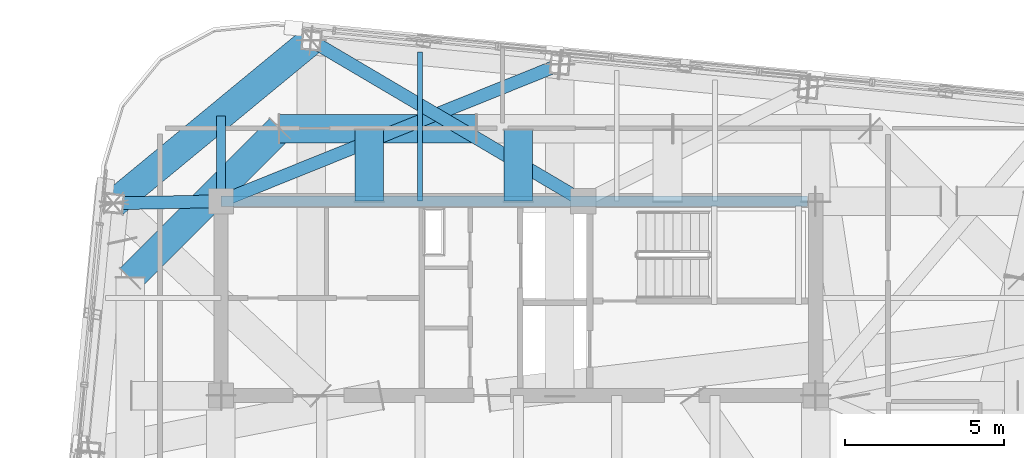
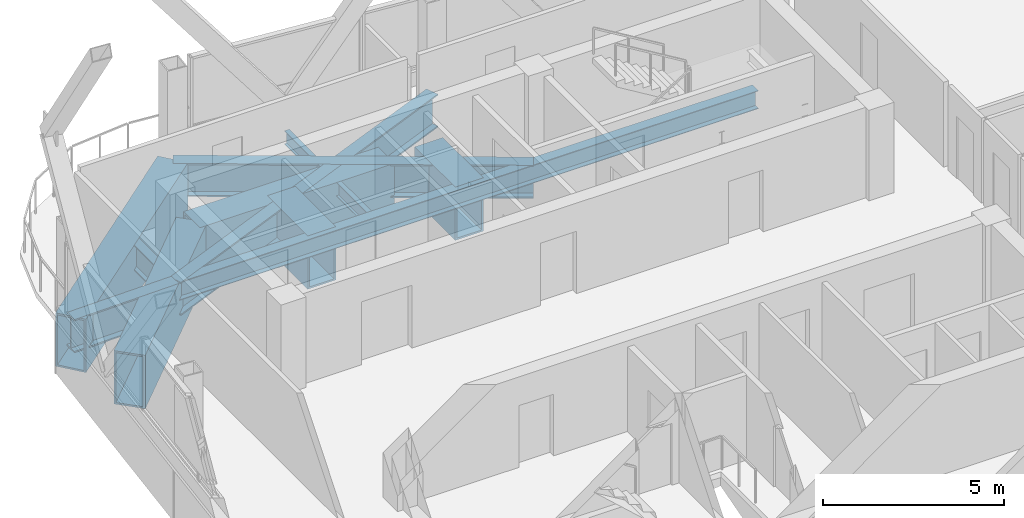
# One storey, part 19 of 31: 11 beams.
"""IFC4 building model written with IfcOpenShell, lengths in metres."""

from ifc_helpers import new_model, si_unit, direction, frame, origin, origin_2d, place, context, subcontext, project, spatial, hollow_rectangle, i_section, extrude, material, material_profile, profile_set, type_object, element, save


model = new_model("IFC4")

# Units and contexts
model_context = context("Model", 3, precision=1e-05, world=origin(), true_north=direction((0.0, 1.0)))
body_context = subcontext(model_context, "Body", "Model", "MODEL_VIEW")
ifc_project = project(units=[si_unit("LENGTHUNIT", "METRE"), si_unit("AREAUNIT", "SQUARE_METRE"), si_unit("VOLUMEUNIT", "CUBIC_METRE"), si_unit("PLANEANGLEUNIT", "RADIAN"), si_unit("MASSUNIT", "GRAM", prefix="KILO")], contexts=[model_context])

# Site, building, storey
site_placement = place(None, origin())
site = spatial("IfcSite", under=ifc_project, at=site_placement, CompositionType="ELEMENT")
building_placement = place(site_placement, origin())
building = spatial("IfcBuilding", under=site, at=building_placement, Name="Qhalaya Broadcast Tower", CompositionType="ELEMENT")
storey_placement = place(building_placement, frame((0.0, 0.0, 242.85009765625)))
storey = spatial("IfcBuildingStorey", under=building, at=storey_placement, Name="L71", CompositionType="ELEMENT", Elevation=242.85009765625)

# Beams
ifc_material_1 = material(Name="Structural Steel ASTM A572 Grade 50", Category="steel")
ifc_material_profile_1 = material_profile(ifc_material_1, hollow_rectangle(XDim=0.89990234375, YDim=1.800048828125, WallThickness=0.06005859375, at=origin_2d()), Name="BOX 900x1800x60")
ifc_profile_set_1 = profile_set([ifc_material_profile_1], Name="Structural Steel ASTM A572 Grade 50")
beam_type_1 = type_object("IfcBeamType", Name="Block Cantilever Transfer Box Girder TG1", PredefinedType="USERDEFINED", material=ifc_profile_set_1)
beam_1_placement = place(storey_placement, frame((-6.5283203125, 15.010498046875, -1.090087890625), z_axis=(-0.771631160126, -0.636070241972, 0.0), x_axis=(0.636070241972, -0.771631160126, 0.0)))
element("IfcBeam", 1, at=beam_1_placement, inside=storey, type_object=beam_type_1, Name="L71 TG1 L71-SPR-12", ObjectType="GIRDER", PredefinedType="USERDEFINED", context=body_context, shape_type="SweptSolid", body=[
    extrude(hollow_rectangle(XDim=0.89990234375, YDim=1.800048828125, WallThickness=0.06005859375, at=origin_2d()), origin(), (0.0, 0.0, 1.0), 8.06103515625),
])
beam_2_placement = place(storey_placement, frame((-1.330078125, 12.22998046875, -1.090087890625), z_axis=(-1.0, 0.0, 0.0), x_axis=(0.0, -1.0, 0.0)))
element("IfcBeam", 2, at=beam_2_placement, inside=storey, type_object=beam_type_1, Name="L71 TG1 L71-TGL-11", ObjectType="GIRDER", PredefinedType="USERDEFINED", context=body_context, shape_type="SweptSolid", body=[
    extrude(hollow_rectangle(XDim=0.89990234375, YDim=1.800048828125, WallThickness=0.06005859375, at=origin_2d()), origin(), (0.0, 0.0, 1.0), 6.199951171875),
])
beam_3_placement = place(storey_placement, frame((-7.530029296875, 12.22998046875, -1.090087890625), z_axis=(-0.707106781187, -0.707106781187, 0.0), x_axis=(0.707106781187, -0.707106781187, 0.0)))
element("IfcBeam", 3, at=beam_3_placement, inside=storey, type_object=beam_type_1, Name="L71 TG1 L71-TGL-12", ObjectType="GIRDER", PredefinedType="USERDEFINED", context=body_context, shape_type="SweptSolid", body=[
    extrude(hollow_rectangle(XDim=0.89990234375, YDim=1.800048828125, WallThickness=0.06005859375, at=origin_2d()), origin(), (0.0, 0.0, 1.0), 6.646728515625),
])
for number, where, z_axis, x_axis, name in (
    (4, (0.0, 9.949951171875, -1.090087890625), (0.0, 1.0, 0.0), (-1.0, 0.0, 0.0), "L71 TG1 L71-TGIMN-1"),
    (5, (-4.699951171875, 9.949951171875, -1.090087890625), (0.0, 1.0, 0.0), (-1.0, 0.0, 0.0), "L71 TG1 L71-TGIMNW-1"),
):
    element("IfcBeam", number, at=place(storey_placement, frame(where, z_axis=z_axis, x_axis=x_axis)), inside=storey, type_object=beam_type_1, Name=name, ObjectType="GIRDER", PredefinedType="USERDEFINED", context=body_context, shape_type="SweptSolid", body=[
        extrude(hollow_rectangle(XDim=0.89990234375, YDim=1.800048828125, WallThickness=0.06005859375, at=origin_2d()), origin(), (0.0, 0.0, 1.0), 2.239990234375),
    ])
ifc_material_2 = material(Name="Structural Steel ASTM A992 Grade 50", Category="steel")
ifc_material_profile_2 = material_profile(ifc_material_2, i_section(OverallWidth=0.154052734375, OverallDepth=0.458984375, WebThickness=0.009033203125, FlangeThickness=0.015380859375, at=origin_2d()), Name="W18X46")
ifc_profile_set_2 = profile_set([ifc_material_profile_2], Name="Structural Steel ASTM A992 Grade 50")
beam_type_2 = type_object("IfcBeamType", Name="Composite Floor Joist J04", PredefinedType="JOIST", material=ifc_profile_set_2)
beam_4_placement = place(storey_placement, frame((-3.10009765625, 9.949951171875, -0.419677734375), z_axis=(0.0, 1.0, 0.0), x_axis=(-1.0, 0.0, 0.0)))
element("IfcBeam", 6, at=beam_4_placement, inside=storey, type_object=beam_type_2, Name="L71 J04 L71-JNN2-1", PredefinedType="JOIST", context=body_context, shape_type="SweptSolid", body=[
    extrude(i_section(OverallWidth=0.154052734375, OverallDepth=0.458984375, WebThickness=0.009033203125, FlangeThickness=0.015380859375, at=origin_2d()), origin(), (0.0, 0.0, 1.0), 4.710205078125),
])
ifc_material_profile_3 = material_profile(ifc_material_2, i_section(OverallWidth=0.323974609375, OverallDepth=0.612060546875, WebThickness=0.0126953125, FlangeThickness=0.01904296875, at=origin_2d()), Name="W24X104")
ifc_profile_set_3 = profile_set([ifc_material_profile_3], Name="Structural Steel ASTM A992 Grade 50")
beam_type_3 = type_object("IfcBeamType", Name="Core Frame Tie Beam B04", PredefinedType="BEAM", material=ifc_profile_set_3)
beam_5_placement = place(storey_placement, frame((-9.375, 9.949951171875, -0.49609375), z_axis=(1.0, 0.0, 0.0), x_axis=(0.0, 1.0, 0.0)))
element("IfcBeam", 7, at=beam_5_placement, inside=storey, type_object=beam_type_3, Name="L71 B04 L71-CCN3", PredefinedType="BEAM", context=body_context, shape_type="SweptSolid", body=[
    extrude(i_section(OverallWidth=0.323974609375, OverallDepth=0.612060546875, WebThickness=0.0126953125, FlangeThickness=0.01904296875, at=origin_2d()), origin(), (0.0, 0.0, 1.0), 18.4951171875),
])
ifc_material_profile_4 = material_profile(ifc_material_2, i_section(OverallWidth=0.404052734375, OverallDepth=1.117919921875, WebThickness=0.026123046875, FlangeThickness=0.044921875, at=origin_2d()), Name="W44X335")
ifc_profile_set_4 = profile_set([ifc_material_profile_4], Name="Structural Steel ASTM A992 Grade 50")
beam_type_4 = type_object("IfcBeamType", Name="Podium Long-Span Primary Girder PG1", PredefinedType="USERDEFINED", material=ifc_profile_set_4)
beam_6_placement = place(storey_placement, frame((-9.375, 9.949951171875, -0.7490234375), z_axis=(0.92740670975, 0.374054534408, 0.0), x_axis=(-0.374054534408, 0.92740670975, 0.0)))
element("IfcBeam", 8, at=beam_6_placement, inside=storey, type_object=beam_type_4, Name="L71 Column-to-Column Moment Tie Girder 11-2", ObjectType="GIRDER", PredefinedType="USERDEFINED", context=body_context, shape_type="SweptSolid", body=[
    extrude(i_section(OverallWidth=0.404052734375, OverallDepth=1.117919921875, WebThickness=0.026123046875, FlangeThickness=0.044921875, at=origin_2d()), origin(), (0.0, 0.0, 1.0), 11.5126953125),
])
beam_7_placement = place(storey_placement, frame((2.050048828125, 9.949951171875, -0.7490234375), z_axis=(-0.861299616343, 0.508097402953, 0.0), x_axis=(-0.508097402953, -0.861299616343, 0.0)))
element("IfcBeam", 9, at=beam_7_placement, inside=storey, type_object=beam_type_4, Name="L71 Column-to-Column Moment Tie Girder 12-2", ObjectType="GIRDER", PredefinedType="USERDEFINED", context=body_context, shape_type="SweptSolid", body=[
    extrude(i_section(OverallWidth=0.404052734375, OverallDepth=1.117919921875, WebThickness=0.026123046875, FlangeThickness=0.044921875, at=origin_2d()), origin(), (0.0, 0.0, 1.0), 9.959716796875),
])
beam_8_placement = place(storey_placement, frame((-9.375, 9.949951171875, -0.7490234375), z_axis=(-0.999803459207, -0.019825311031, 0.0), x_axis=(0.019825311031, -0.999803459207, 0.0)))
element("IfcBeam", 10, at=beam_8_placement, inside=storey, type_object=beam_type_4, Name="L71 Column-to-Column Moment Tie Girder 13-1", ObjectType="GIRDER", PredefinedType="USERDEFINED", context=body_context, shape_type="SweptSolid", body=[
    extrude(i_section(OverallWidth=0.404052734375, OverallDepth=1.117919921875, WebThickness=0.026123046875, FlangeThickness=0.044921875, at=origin_2d()), origin(), (0.0, 0.0, 1.0), 3.374267578125),
])
ifc_material_profile_5 = material_profile(ifc_material_2, i_section(OverallWidth=0.2919921875, OverallDepth=0.85888671875, WebThickness=0.01708984375, FlangeThickness=0.031005859375, at=origin_2d()), Name="W33X169")
ifc_profile_set_5 = profile_set([ifc_material_profile_5], Name="Structural Steel ASTM A992 Grade 50")
beam_type_5 = type_object("IfcBeamType", Name="Upper Block Primary Girder PG4", PredefinedType="USERDEFINED", material=ifc_profile_set_5)
beam_9_placement = place(storey_placement, frame((-9.375, 9.949951171875, -0.61962890625), z_axis=(0.0, 1.0, 0.0), x_axis=(-1.0, 0.0, 0.0)))
element("IfcBeam", 11, at=beam_9_placement, inside=storey, type_object=beam_type_5, Name="L71 PG4 L71-PGXN1-1", ObjectType="GIRDER", PredefinedType="USERDEFINED", context=body_context, shape_type="SweptSolid", body=[
    extrude(i_section(OverallWidth=0.2919921875, OverallDepth=0.85888671875, WebThickness=0.01708984375, FlangeThickness=0.031005859375, at=origin_2d()), origin(), (0.0, 0.0, 1.0), 2.68798828125),
])

save(model, "model.ifc")
